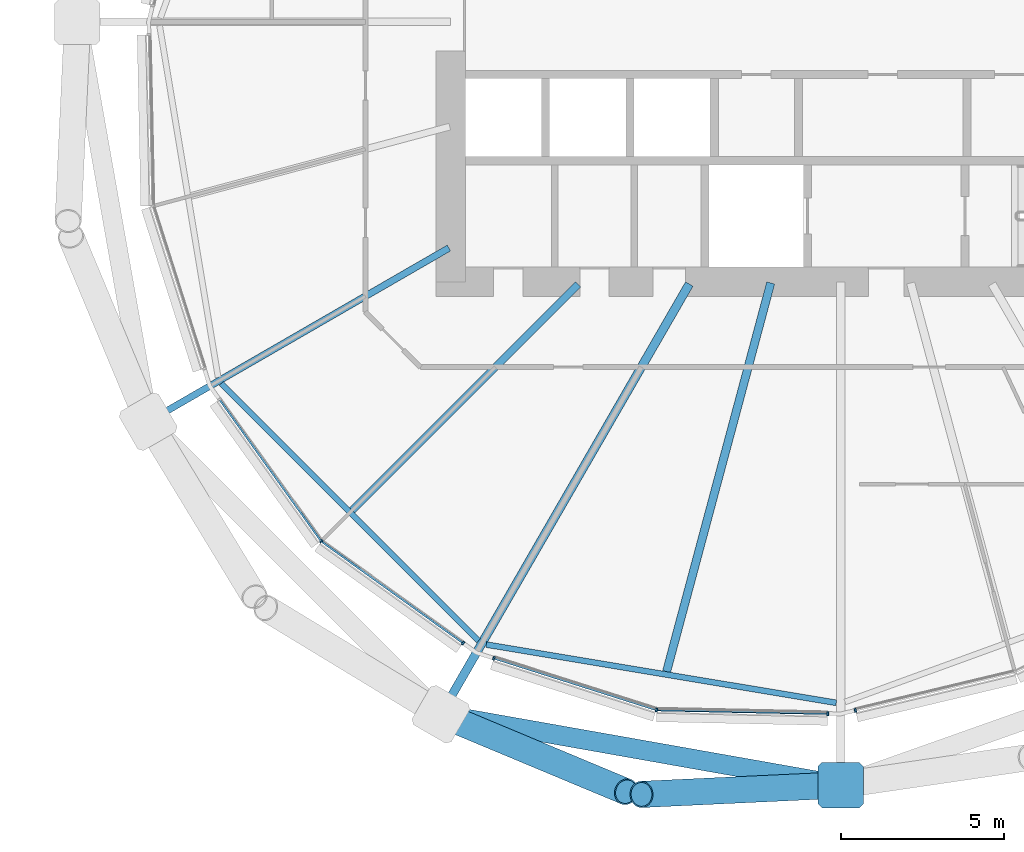
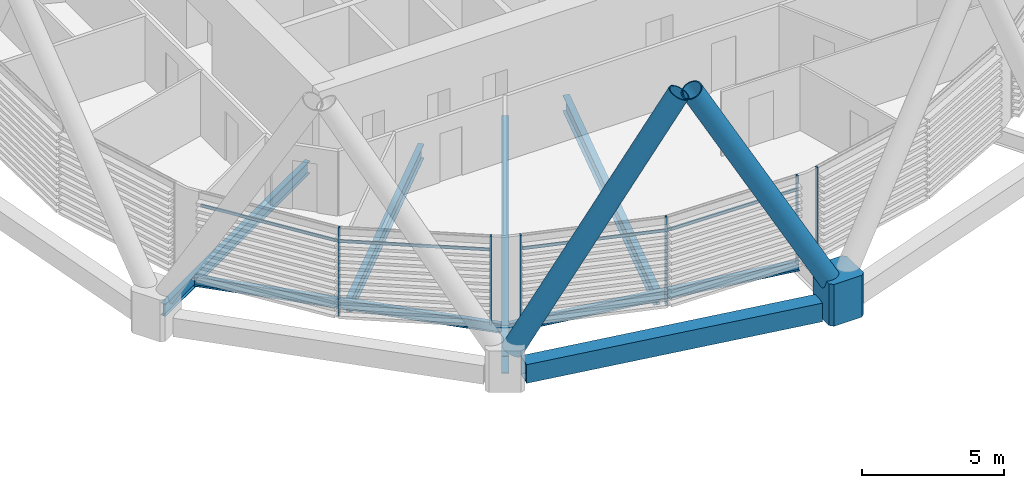
# One storey, part 14 of 34: 13 members, 7 beams, 1 element without a shape of its own.
"""IFC4 building model written with IfcOpenShell, lengths in metres."""

from ifc_helpers import new_model, si_unit, direction, frame, origin, origin_2d, place, context, subcontext, project, spatial, polyline, rectangle, hollow_rectangle, hollow_circle, i_section, outline, extrude, material, material_profile, profile_set, type_object, element, aggregate, save


model = new_model("IFC4")

# Units and contexts
model_context = context("Model", 3, precision=1e-05, world=origin(), true_north=direction((0.0, 1.0)))
body_context = subcontext(model_context, "Body", "Model", "MODEL_VIEW")
ifc_project = project(units=[si_unit("LENGTHUNIT", "METRE"), si_unit("AREAUNIT", "SQUARE_METRE"), si_unit("VOLUMEUNIT", "CUBIC_METRE"), si_unit("PLANEANGLEUNIT", "RADIAN"), si_unit("MASSUNIT", "GRAM", prefix="KILO")], contexts=[model_context])

# Site, building, storey
site_placement = place(None, origin())
site = spatial("IfcSite", under=ifc_project, at=site_placement, CompositionType="ELEMENT")
building_placement = place(site_placement, origin())
building = spatial("IfcBuilding", under=site, at=building_placement, Name="Rimbun Link Towers", CompositionType="ELEMENT")
storey_placement = place(building_placement, frame((0.0, 0.0, 41.39990234375)))
storey = spatial("IfcBuildingStorey", under=building, at=storey_placement, Name="L09", CompositionType="ELEMENT", Elevation=41.39990234375)

# Curtain wall, members
ifc_material_1 = material(Name="Aluminium 6063-T6 and low-iron glass", Category="aluminium")
curtain_wall_type = type_object("IfcCurtainWallType", Name="CW1 unitised vision wall", PredefinedType="NOTDEFINED", material=ifc_material_1)
curtain_wall_placement = place(storey_placement, origin())
curtain_wall = element("IfcCurtainWall", 1, at=curtain_wall_placement, inside=storey, type_object=curtain_wall_type, Name="CW1 L09 T2", PredefinedType="NOTDEFINED")
ifc_material_2 = material(Name="Aluminium 6063-T6", Category="aluminium")
ifc_material_profile_1 = material_profile(ifc_material_2, rectangle(XDim=0.1201171875, YDim=0.06005859375, at=origin_2d()), Name="MULLION 60X120")
ifc_profile_set_1 = profile_set([ifc_material_profile_1], Name="Aluminium 6063-T6")
member_type_1 = type_object("IfcMemberType", Name="CW1 mullion 60X120", PredefinedType="MULLION", material=ifc_profile_set_1)
member_1_placement = place(storey_placement, frame((15.76806640625, -15.98193359375, 0.0), z_axis=(0.0, 0.0, 1.0), x_axis=(-0.707106781187, -0.707106781187, 0.0)))
member_1 = element("IfcMember", 2, at=member_1_placement, type_object=member_type_1, Name="CW1 mullion", PredefinedType="MULLION", context=body_context, shape_type="SweptSolid", body=[
    extrude(rectangle(XDim=0.1201171875, YDim=0.06005859375, at=origin_2d()), origin(), (0.0, 0.0, 1.0), 3.800048828125),
])
member_2_placement = place(storey_placement, frame((20.132568359375, -19.11474609375, 0.0), z_axis=(0.0, 0.0, 1.0), x_axis=(-0.582995512796, -0.812475373202, 0.0)))
member_2 = element("IfcMember", 3, at=member_2_placement, type_object=member_type_1, Name="CW1 mullion", PredefinedType="MULLION", context=body_context, shape_type="SweptSolid", body=[
    extrude(rectangle(XDim=0.1201171875, YDim=0.06005859375, at=origin_2d()), origin(), (0.0, 0.0, 1.0), 3.800048828125),
])
member_3_placement = place(storey_placement, frame((26.0830078125, -21.171875, 0.0), z_axis=(0.0, 0.0, 1.0), x_axis=(-0.163749935396, -0.986501879703, 0.0)))
member_3 = element("IfcMember", 4, at=member_3_placement, type_object=member_type_1, Name="CW1 mullion", PredefinedType="MULLION", context=body_context, shape_type="SweptSolid", body=[
    extrude(rectangle(XDim=0.1201171875, YDim=0.06005859375, at=origin_2d()), origin(), (0.0, 0.0, 1.0), 3.800048828125),
])
member_4_placement = place(storey_placement, frame((21.079833984375, -19.581298828125, 0.0), z_axis=(0.0, 0.0, 1.0), x_axis=(-0.303071090127, -0.952967950316, 0.0)))
member_4 = element("IfcMember", 5, at=member_4_placement, type_object=member_type_1, Name="CW1 mullion", PredefinedType="MULLION", context=body_context, shape_type="SweptSolid", body=[
    extrude(rectangle(XDim=0.1201171875, YDim=0.06005859375, at=origin_2d()), origin(), (0.0, 0.0, 1.0), 3.800048828125),
])
member_5_placement = place(storey_placement, frame((31.348876953125, -21.283447265625, 0.0), z_axis=(0.0, 0.0, 1.0), x_axis=(-0.021066190713, -0.999778083181, 0.0)))
member_5 = element("IfcMember", 6, at=member_5_placement, type_object=member_type_1, Name="CW1 mullion", PredefinedType="MULLION", context=body_context, shape_type="SweptSolid", body=[
    extrude(rectangle(XDim=0.1201171875, YDim=0.06005859375, at=origin_2d()), origin(), (0.0, 0.0, 1.0), 3.800048828125),
])
member_6_placement = place(storey_placement, frame((32.20166015625, -21.185546875, 0.0), z_axis=(0.0, 0.0, 1.0), x_axis=(0.232609871785, -0.972570124746, 0.0)))
member_6 = element("IfcMember", 7, at=member_6_placement, type_object=member_type_1, Name="CW1 mullion", PredefinedType="MULLION", context=body_context, shape_type="SweptSolid", body=[
    extrude(rectangle(XDim=0.1201171875, YDim=0.06005859375, at=origin_2d()), origin(), (0.0, 0.0, 1.0), 3.800048828125),
])
ifc_material_3 = material(Name="Aluminium 6063-T6", Category="aluminium")
ifc_material_profile_2 = material_profile(ifc_material_3, rectangle(XDim=0.06005859375, YDim=0.1201171875, at=origin_2d()), Name="TRANSOM 60X120")
ifc_profile_set_2 = profile_set([ifc_material_profile_2], Name="Aluminium 6063-T6")
member_type_2 = type_object("IfcMemberType", Name="CW1 transom 60X120", PredefinedType="USERDEFINED", material=ifc_profile_set_2)
member_7_placement = place(storey_placement, frame((15.745849609375, -15.948974609375, 3.2001953125), z_axis=(-0.583005007867, 0.812468559885, 0.0), x_axis=(-0.812468559885, -0.583005007867, 0.0)))
member_7 = element("IfcMember", 8, at=member_7_placement, type_object=member_type_2, Name="CW1 transom", ObjectType="TRANSOM", PredefinedType="USERDEFINED", context=body_context, shape_type="SweptSolid", body=[
    extrude(rectangle(XDim=0.06005859375, YDim=0.1201171875, at=origin_2d()), origin(), (0.0, 0.0, 1.0), 5.302734375),
])
member_8_placement = place(storey_placement, frame((20.109375, -19.095703125, 3.2001953125), z_axis=(-0.812468559885, 0.583005007867, 0.0), x_axis=(-0.583005007867, -0.812468559885, 0.0)))
member_8 = element("IfcMember", 9, at=member_8_placement, type_object=member_type_2, Name="CW1 transom", ObjectType="TRANSOM", PredefinedType="USERDEFINED", context=body_context, shape_type="SweptSolid", body=[
    extrude(rectangle(XDim=0.06005859375, YDim=0.1201171875, at=origin_2d()), origin(), (0.0, 0.0, 1.0), 5.302734375),
])
member_9_placement = place(storey_placement, frame((26.046630859375, -21.158935546875, 3.2001953125), z_axis=(-0.952965377873, 0.303079178722, 0.0), x_axis=(-0.303079178722, -0.952965377873, 0.0)))
member_9 = element("IfcMember", 10, at=member_9_placement, type_object=member_type_2, Name="CW1 transom", ObjectType="TRANSOM", PredefinedType="USERDEFINED", context=body_context, shape_type="SweptSolid", body=[
    extrude(rectangle(XDim=0.06005859375, YDim=0.1201171875, at=origin_2d()), origin(), (0.0, 0.0, 1.0), 5.18115234375),
])
member_10_placement = place(storey_placement, frame((31.31884765625, -21.28076171875, 3.2001953125), z_axis=(-0.999778633406, 0.021040061432, 0.0), x_axis=(-0.021040061432, -0.999778633406, 0.0)))
member_10 = element("IfcMember", 11, at=member_10_placement, type_object=member_type_2, Name="CW1 transom", ObjectType="TRANSOM", PredefinedType="USERDEFINED", context=body_context, shape_type="SweptSolid", body=[
    extrude(rectangle(XDim=0.06005859375, YDim=0.1201171875, at=origin_2d()), origin(), (0.0, 0.0, 1.0), 5.198486328125),
])
aggregate(curtain_wall, [member_1, member_2, member_3, member_4, member_5, member_6, member_7, member_8, member_9, member_10])

# Members
ifc_material_4 = material(Name="Steel S460NH", Category="steel")
ifc_material_profile_3 = material_profile(ifc_material_4, hollow_circle(Radius=0.406494140625, WallThickness=0.0400390625, at=origin_2d()), Name="Diagrid diagonal CHS 813x40")
ifc_profile_set_3 = profile_set([ifc_material_profile_3], Name="Steel S460NH")
member_type_3 = type_object("IfcMemberType", Name="Diagrid diagonal CHS 813x40", PredefinedType="BRACE", material=ifc_profile_set_3)
member_11_placement = place(storey_placement, frame((19.67529296875, -21.400634765625, 0.435791015625), z_axis=(0.453077353044, -0.189177823856, 0.871167413945), x_axis=(0.385301802144, 0.922790616155, 0.0)))
element("IfcMember", 12, at=member_11_placement, inside=storey, type_object=member_type_3, Name="Diagrid diagonal T2 L09-L12 13b", PredefinedType="BRACE", context=body_context, shape_type="SweptSolid", body=[
    extrude(hollow_circle(Radius=0.406494140625, WallThickness=0.0400390625, at=origin_2d()), origin(), (0.0, 0.0, 1.0), 12.0859375),
])
member_12_placement = place(storey_placement, frame((31.506103515625, -23.493408203125, 0.436279296875), z_axis=(-0.487785179461, -0.022929121202, 0.872662520164), x_axis=(0.046954749235, -0.998897017477, 0.0)))
element("IfcMember", 13, at=member_12_placement, inside=storey, type_object=member_type_3, Name="Diagrid diagonal T2 L09-L12 15a", PredefinedType="BRACE", context=body_context, shape_type="SweptSolid", body=[
    extrude(hollow_circle(Radius=0.406494140625, WallThickness=0.0400390625, at=origin_2d()), origin(), (0.0, 0.0, 1.0), 12.063720703125),
])
ifc_material_5 = material(Name="Cast steel G20Mn5+QT, Rp0.2 300 MPa", Category="steel")
ifc_material_profile_4 = material_profile(ifc_material_5, outline(polyline([(0.699951171875, -0.570068359375), (0.699951171875, 0.570068359375), (0.570068359375, 0.699951171875), (-0.570068359375, 0.699951171875), (-0.699951171875, 0.570068359375), (-0.699951171875, -0.570068359375), (-0.570068359375, -0.699951171875), (0.570068359375, -0.699951171875), (0.699951171875, -0.570068359375)])), Name="NODE 1400x1400")
ifc_profile_set_4 = profile_set([ifc_material_profile_4], Name="Cast steel G20Mn5+QT, Rp0.2 300 MPa")
member_type_4 = type_object("IfcMemberType", Name="Diagrid node cast 1400", PredefinedType="USERDEFINED", material=ifc_profile_set_4)
member_13_placement = place(storey_placement, frame((31.75, -23.48193359375, -0.89990234375), z_axis=(0.0, 0.0, 1.0), x_axis=(0.0, -1.0, 0.0)))
element("IfcMember", 14, at=member_13_placement, inside=storey, type_object=member_type_4, Name="Diagrid node L09 15", ObjectType="Diagrid node", PredefinedType="USERDEFINED", context=body_context, shape_type="SweptSolid", body=[
    extrude(outline(polyline([(0.699951171875, -0.570068359375), (0.699951171875, 0.570068359375), (0.570068359375, 0.699951171875), (-0.570068359375, 0.699951171875), (-0.699951171875, 0.570068359375), (-0.699951171875, -0.570068359375), (-0.570068359375, -0.699951171875), (0.570068359375, -0.699951171875), (0.699951171875, -0.570068359375)])), origin(), (0.0, 0.0, 1.0), 1.800048828125),
])

# Beams
ifc_material_6 = material(Name="Steel S355J2", Category="steel")
ifc_material_profile_5 = material_profile(ifc_material_6, hollow_rectangle(XDim=0.60009765625, YDim=0.800048828125, WallThickness=0.0400390625, at=origin_2d()), Name="Exoskeleton ring girder BOX 600x800x40")
ifc_profile_set_5 = profile_set([ifc_material_profile_5], Name="Steel S355J2")
beam_type_1 = type_object("IfcBeamType", Name="Exoskeleton ring girder BOX 600x800x40", PredefinedType="BEAM", material=ifc_profile_set_5)
beam_1_placement = place(storey_placement, frame((20.13818359375, -21.427978515625, -0.559814453125), z_axis=(0.98471234956, -0.174188371095, 0.0), x_axis=(0.174188371095, 0.98471234956, 0.0)))
element("IfcBeam", 15, at=beam_1_placement, inside=storey, type_object=beam_type_1, Name="Exoskeleton ring girder L09 06", PredefinedType="BEAM", context=body_context, shape_type="SweptSolid", body=[
    extrude(hollow_rectangle(XDim=0.60009765625, YDim=0.800048828125, WallThickness=0.0400390625, at=origin_2d()), origin(), (0.0, 0.0, 1.0), 11.09228515625),
])
ifc_material_7 = material(Name="Steel S355J2", Category="steel")
ifc_material_profile_6 = material_profile(ifc_material_7, i_section(OverallWidth=0.177978515625, OverallDepth=0.406494140625, WebThickness=0.0078125, FlangeThickness=0.0126953125, at=origin_2d()), Name="UB 406x178x60")
ifc_profile_set_6 = profile_set([ifc_material_profile_6], Name="Steel S355J2")
beam_type_2 = type_object("IfcBeamType", Name="UB 406x178x60", PredefinedType="BEAM", material=ifc_profile_set_6)
beam_2_placement = place(storey_placement, frame((12.69140625, -11.12548828125, -0.363037109375), z_axis=(0.707106781187, -0.707106781187, 0.0), x_axis=(0.707106781187, 0.707106781187, 0.0)))
element("IfcBeam", 16, at=beam_2_placement, inside=storey, type_object=beam_type_2, Name="Edge beam T2 L09 11-13", PredefinedType="BEAM", context=body_context, shape_type="SweptSolid", body=[
    extrude(i_section(OverallWidth=0.177978515625, OverallDepth=0.406494140625, WebThickness=0.0078125, FlangeThickness=0.0126953125, at=origin_2d()), origin(), (0.0, 0.0, 1.0), 11.189453125),
])
beam_3_placement = place(storey_placement, frame((20.843505859375, -19.159423828125, -0.363037109375), z_axis=(0.986429549967, -0.164185087482, 0.0), x_axis=(0.164185087482, 0.986429549967, 0.0)))
element("IfcBeam", 17, at=beam_3_placement, inside=storey, type_object=beam_type_2, Name="Edge beam T2 L09 13-15", PredefinedType="BEAM", context=body_context, shape_type="SweptSolid", body=[
    extrude(i_section(OverallWidth=0.177978515625, OverallDepth=0.406494140625, WebThickness=0.0078125, FlangeThickness=0.0126953125, at=origin_2d()), origin(), (0.0, 0.0, 1.0), 10.92041015625),
])
ifc_material_8 = material(Name="Steel S355J2", Category="steel")
ifc_material_profile_7 = material_profile(ifc_material_8, i_section(OverallWidth=0.209228515625, OverallDepth=0.533203125, WebThickness=0.010009765625, FlangeThickness=0.015625, at=origin_2d()), Name="UB 533x210x92")
ifc_profile_set_7 = profile_set([ifc_material_profile_7], Name="Steel S355J2")
beam_type_3 = type_object("IfcBeamType", Name="UB 533x210x92", PredefinedType="BEAM", material=ifc_profile_set_7)
beam_4_placement = place(storey_placement, frame((19.69677734375, -6.958984375, -0.426513671875), z_axis=(-0.866029097357, -0.49999360249, 0.0), x_axis=(0.49999360249, -0.866029097357, 0.0)))
element("IfcBeam", 18, at=beam_4_placement, inside=storey, type_object=beam_type_3, Name="Radial beam T2 L09 11", PredefinedType="BEAM", context=body_context, shape_type="SweptSolid", body=[
    extrude(i_section(OverallWidth=0.209228515625, OverallDepth=0.533203125, WebThickness=0.010009765625, FlangeThickness=0.015625, at=origin_2d()), origin(), (0.0, 0.0, 1.0), 10.184326171875),
])
ifc_material_9 = material(Name="Steel S355J2", Category="steel")
ifc_material_profile_8 = material_profile(ifc_material_9, i_section(OverallWidth=0.2275390625, OverallDepth=0.6025390625, WebThickness=0.010498046875, FlangeThickness=0.014892578125, at=origin_2d()), Name="UB 610x229x101")
ifc_profile_set_8 = profile_set([ifc_material_profile_8], Name="Steel S355J2")
beam_type_4 = type_object("IfcBeamType", Name="UB 610x229x101", PredefinedType="BEAM", material=ifc_profile_set_8)
beam_5_placement = place(storey_placement, frame((23.668701171875, -8.081298828125, -0.461181640625), z_axis=(-0.707106781187, -0.707106781187, 0.0), x_axis=(0.707106781187, -0.707106781187, 0.0)))
element("IfcBeam", 19, at=beam_5_placement, inside=storey, type_object=beam_type_4, Name="Radial beam T2 L09 12", PredefinedType="BEAM", context=body_context, shape_type="SweptSolid", body=[
    extrude(i_section(OverallWidth=0.2275390625, OverallDepth=0.6025390625, WebThickness=0.010498046875, FlangeThickness=0.014892578125, at=origin_2d()), origin(), (0.0, 0.0, 1.0), 9.824462890625),
])
ifc_material_10 = material(Name="Steel S355J2", Category="steel")
ifc_material_profile_9 = material_profile(ifc_material_10, i_section(OverallWidth=0.253662109375, OverallDepth=0.68359375, WebThickness=0.012451171875, FlangeThickness=0.01904296875, at=origin_2d()), Name="UB 686x254x140")
ifc_profile_set_9 = profile_set([ifc_material_profile_9], Name="Steel S355J2")
beam_type_5 = type_object("IfcBeamType", Name="UB 686x254x140", PredefinedType="BEAM", material=ifc_profile_set_9)
beam_6_placement = place(storey_placement, frame((29.597412109375, -8.03369140625, -0.501708984375), z_axis=(-0.258811328471, -0.965927893921, 0.0), x_axis=(0.965927893921, -0.258811328471, 0.0)))
element("IfcBeam", 20, at=beam_6_placement, inside=storey, type_object=beam_type_5, Name="Radial beam T2 L09 14", PredefinedType="BEAM", context=body_context, shape_type="SweptSolid", body=[
    extrude(i_section(OverallWidth=0.253662109375, OverallDepth=0.68359375, WebThickness=0.012451171875, FlangeThickness=0.01904296875, at=origin_2d()), origin(), (0.0, 0.0, 1.0), 12.380126953125),
])
ifc_material_11 = material(Name="Steel S355J2", Category="steel")
ifc_material_profile_10 = material_profile(ifc_material_11, i_section(OverallWidth=0.2666015625, OverallDepth=0.76220703125, WebThickness=0.014404296875, FlangeThickness=0.021484375, at=origin_2d()), Name="UB 762x267x173")
ifc_profile_set_10 = profile_set([ifc_material_profile_10], Name="Steel S355J2")
beam_type_6 = type_object("IfcBeamType", Name="UB 762x267x173", PredefinedType="BEAM", material=ifc_profile_set_10)
beam_7_placement = place(storey_placement, frame((27.09228515625, -8.0673828125, -0.541015625), z_axis=(-0.49999781661, -0.866026664361, 0.0), x_axis=(0.866026664361, -0.49999781661, 0.0)))
element("IfcBeam", 21, at=beam_7_placement, inside=storey, type_object=beam_type_6, Name="Radial beam T2 L09 13", PredefinedType="BEAM", context=body_context, shape_type="SweptSolid", body=[
    extrude(i_section(OverallWidth=0.2666015625, OverallDepth=0.76220703125, WebThickness=0.014404296875, FlangeThickness=0.021484375, at=origin_2d()), origin(), (0.0, 0.0, 1.0), 14.78662109375),
])

save(model, "model.ifc")
